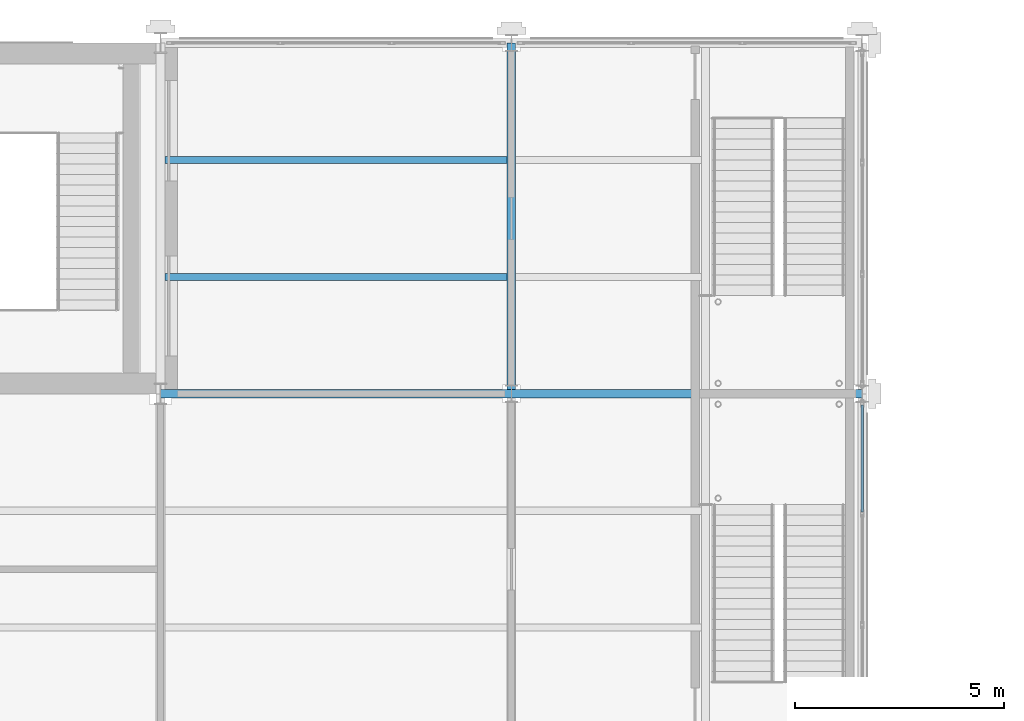
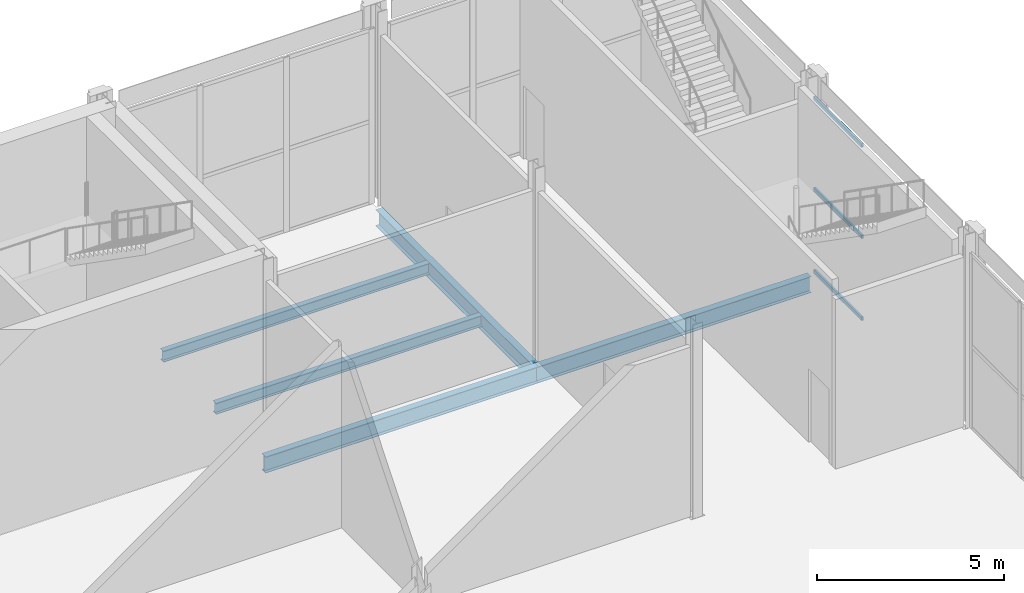
# One storey, part 41 of 77: 5 beams, 3 members, 1 element without a shape of its own.
"""IFC4 building model written with IfcOpenShell, lengths in metres."""

from ifc_helpers import new_model, si_unit, direction, frame, origin, origin_2d, place, context, subcontext, project, spatial, hollow_rectangle, i_section, extrude, material, material_profile, profile_set, type_object, element, aggregate, save


model = new_model("IFC4")

# Units and contexts
model_context = context("Model", 3, precision=1e-05, world=origin(), true_north=direction((0.0, 1.0)))
body_context = subcontext(model_context, "Body", "Model", "MODEL_VIEW")
ifc_project = project(units=[si_unit("LENGTHUNIT", "METRE"), si_unit("AREAUNIT", "SQUARE_METRE"), si_unit("VOLUMEUNIT", "CUBIC_METRE"), si_unit("PLANEANGLEUNIT", "RADIAN"), si_unit("MASSUNIT", "GRAM", prefix="KILO")], contexts=[model_context])

# Site, building, storey
site_placement = place(None, origin())
site = spatial("IfcSite", under=ifc_project, at=site_placement, CompositionType="ELEMENT")
building_placement = place(site_placement, origin())
building = spatial("IfcBuilding", under=site, at=building_placement, Name="Catenary Quay Ferry Terminal", CompositionType="ELEMENT")
storey_placement = place(building_placement, frame((0.0, 0.0, 10.800048828125)))
storey = spatial("IfcBuildingStorey", under=building, at=storey_placement, Name="L02", CompositionType="ELEMENT", Elevation=10.800048828125)

# Beams
ifc_material_1 = material(Name="Steel S355", Category="steel")
ifc_material_profile_1 = material_profile(ifc_material_1, i_section(OverallWidth=0.208740234375, OverallDepth=0.5283203125, WebThickness=0.009521484375, FlangeThickness=0.01318359375, at=origin_2d()), Name="UB 533x210x82")
ifc_profile_set_1 = profile_set([ifc_material_profile_1], Name="Steel S355")
beam_type_1 = type_object("IfcBeamType", Name="B5 UB 533x210x82", PredefinedType="BEAM", material=ifc_profile_set_1)
beam_placement = place(storey_placement, frame((50.39990234375, 201.60009765625, -0.51416015625), z_axis=(1.0, 0.0, 0.0), x_axis=(0.0, 1.0, 0.0)))
element("IfcBeam", 1, at=beam_placement, inside=storey, type_object=beam_type_1, Name="Beam B5-020", PredefinedType="BEAM", context=body_context, shape_type="SweptSolid", body=[
    extrude(i_section(OverallWidth=0.208740234375, OverallDepth=0.5283203125, WebThickness=0.009521484375, FlangeThickness=0.01318359375, at=origin_2d()), origin(), (0.0, 0.0, 1.0), 8.400146484375),
])
for number, where, z_axis, x_axis, name in (
    (2, (58.800048828125, 201.60009765625, -0.51416015625), (1.0, 0.0, 0.0), (0.0, 1.0, 0.0), "Beam B5-021"),
    (3, (58.800048828125, 201.60009765625, -0.51416015625), (0.0, 1.0, 0.0), (-1.0, 0.0, 0.0), "Beam B5-043"),
):
    element("IfcBeam", number, at=place(storey_placement, frame(where, z_axis=z_axis, x_axis=x_axis)), inside=storey, type_object=beam_type_1, Name=name, PredefinedType="BEAM", context=body_context, shape_type="SweptSolid", body=[
        extrude(i_section(OverallWidth=0.208740234375, OverallDepth=0.5283203125, WebThickness=0.009521484375, FlangeThickness=0.01318359375, at=origin_2d()), origin(), (0.0, 0.0, 1.0), 8.39990234375),
    ])
ifc_material_2 = material(Name="Steel S355", Category="steel")
ifc_material_profile_2 = material_profile(ifc_material_2, i_section(OverallWidth=0.169921875, OverallDepth=0.360107421875, WebThickness=0.008056640625, FlangeThickness=0.0126953125, at=origin_2d()), Name="IPE 360")
ifc_profile_set_2 = profile_set([ifc_material_profile_2], Name="Steel S355")
beam_type_2 = type_object("IfcBeamType", Name="B7 IPE 360", PredefinedType="BEAM", material=ifc_profile_set_2)
for number, where, z_axis, x_axis, name in (
    (4, (50.50390625, 204.39990234375, -0.429931640625), (1.0, 0.0, 0.0), (0.0, 1.0, 0.0), "Beam B7-045"),
    (5, (50.50390625, 207.199951171875, -0.429931640625), (1.0, 0.0, 0.0), (0.0, 1.0, 0.0), "Beam B7-047"),
):
    element("IfcBeam", number, at=place(storey_placement, frame(where, z_axis=z_axis, x_axis=x_axis)), inside=storey, type_object=beam_type_2, Name=name, PredefinedType="BEAM", context=body_context, shape_type="SweptSolid", body=[
        extrude(i_section(OverallWidth=0.169921875, OverallDepth=0.360107421875, WebThickness=0.008056640625, FlangeThickness=0.0126953125, at=origin_2d()), origin(), (0.0, 0.0, 1.0), 8.192138671875),
    ])

# Curtain wall, members
ifc_material_3 = material(Name="Aluminium and glass", Category="aluminium")
curtain_wall_type = type_object("IfcCurtainWallType", Name="CWW2", PredefinedType="NOTDEFINED", material=ifc_material_3)
curtain_wall_placement = place(storey_placement, origin())
curtain_wall = element("IfcCurtainWall", 6, at=curtain_wall_placement, inside=storey, type_object=curtain_wall_type, Name="Wing curtain wall CW134", PredefinedType="NOTDEFINED")
ifc_material_4 = material(Name="Aluminium", Category="aluminium")
ifc_material_profile_3 = material_profile(ifc_material_4, hollow_rectangle(XDim=0.06005859375, YDim=0.1201171875, WallThickness=0.0048828125, at=origin_2d()), Name="TR3")
ifc_profile_set_3 = profile_set([ifc_material_profile_3], Name="Aluminium")
member_type = type_object("IfcMemberType", Name="TR3", PredefinedType="USERDEFINED", material=ifc_profile_set_3)
member_1_placement = place(storey_placement, frame((67.199951171875, 198.768310546875, 0.030029296875), z_axis=(0.0, 1.0, 0.0), x_axis=(-1.0, 0.0, 0.0)))
member_1 = element("IfcMember", 7, at=member_1_placement, type_object=member_type, Name="CW134 transom 3.1", ObjectType="TRANSOM", PredefinedType="USERDEFINED", context=body_context, shape_type="SweptSolid", body=[
    extrude(hollow_rectangle(XDim=0.06005859375, YDim=0.1201171875, WallThickness=0.0048828125, at=origin_2d()), origin(), (0.0, 0.0, 1.0), 2.561767578125),
])
member_2_placement = place(storey_placement, frame((67.199951171875, 198.768310546875, 2.699951171875), z_axis=(0.0, 1.0, 0.0), x_axis=(-1.0, 0.0, 0.0)))
member_2 = element("IfcMember", 8, at=member_2_placement, type_object=member_type, Name="CW134 transom 3.2", ObjectType="TRANSOM", PredefinedType="USERDEFINED", context=body_context, shape_type="SweptSolid", body=[
    extrude(hollow_rectangle(XDim=0.06005859375, YDim=0.1201171875, WallThickness=0.0048828125, at=origin_2d()), origin(), (0.0, 0.0, 1.0), 2.561767578125),
])
member_3_placement = place(storey_placement, frame((67.199951171875, 198.768310546875, 5.669921875), z_axis=(0.0, 1.0, 0.0), x_axis=(-1.0, 0.0, 0.0)))
member_3 = element("IfcMember", 9, at=member_3_placement, type_object=member_type, Name="CW134 transom 3.3", ObjectType="TRANSOM", PredefinedType="USERDEFINED", context=body_context, shape_type="SweptSolid", body=[
    extrude(hollow_rectangle(XDim=0.06005859375, YDim=0.1201171875, WallThickness=0.0048828125, at=origin_2d()), origin(), (0.0, 0.0, 1.0), 2.561767578125),
])
aggregate(curtain_wall, [member_1, member_2, member_3])

save(model, "model.ifc")
